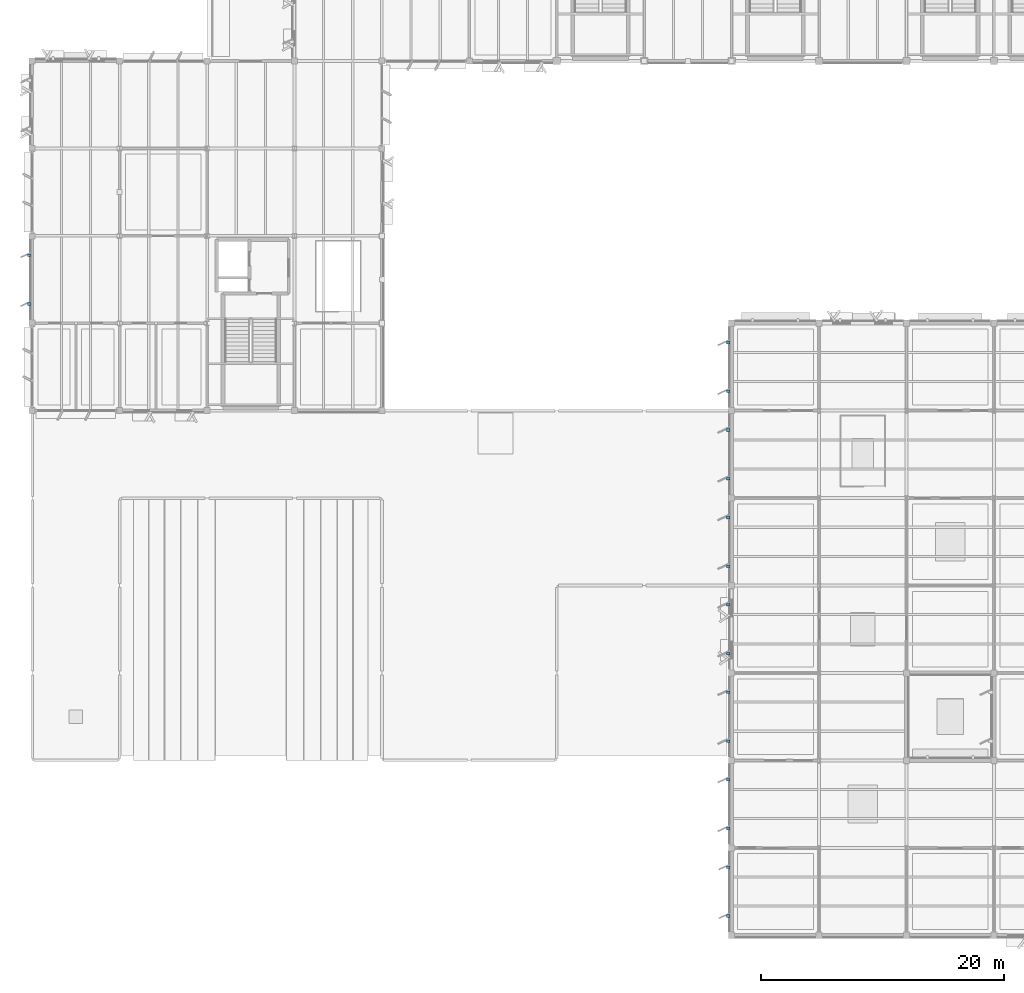
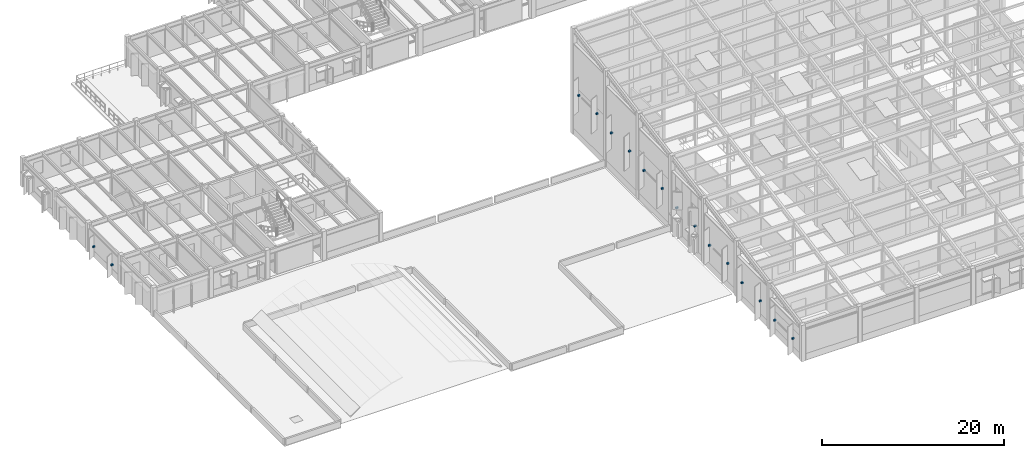
# One storey, part 43 of 82: 16 discrete accessories.
"""IFC4 building model written with IfcOpenShell, lengths in metres."""

import ifcopenshell
import ifcopenshell.guid

model = None  # the IFC model being written
_history = None  # IfcOwnerHistory: only IFC2X3 demands one
_inside = {}  # id of a spatial element -> (the spatial element, [elements in it])
_under = {}  # id of a project, library or spatial element -> (it, [spatial elements below it])
_declared = {}  # id of a project -> (the project, [libraries it declares])
_typed = {}  # id of a type object -> (the type object, [elements of that type])
_made_of = {}  # id of a material, layer set ... -> (it, [elements and type objects made of it])


def new_model(schema):
    """Start an empty IFC model of exactly this schema.

    Asked for "IFC4X3", IfcOpenShell would pick the latest addendum, in which some entities
    have other attributes; the version numbers below select the first issue.
    IFC2X3 requires an IfcOwnerHistory on every rooted entity: one is made here for all.
    """
    global model, _history
    if schema == "IFC4X3":
        model = ifcopenshell.file(schema_version=(4, 3, 0, 0))
    else:
        model = ifcopenshell.file(schema=schema)
    _inside.clear()
    _under.clear()
    _declared.clear()
    _typed.clear()
    _made_of.clear()
    _history = None
    if model.schema == "IFC2X3":
        org = make("IfcOrganization", Name="unknown")
        user = make(
            "IfcPersonAndOrganization",
            ThePerson=make("IfcPerson", FamilyName="unknown"),
            TheOrganization=org,
        )
        app = make(
            "IfcApplication",
            ApplicationDeveloper=org,
            Version="unknown",
            ApplicationFullName="unknown",
            ApplicationIdentifier="unknown",
        )
        _history = make(
            "IfcOwnerHistory",
            OwningUser=user,
            OwningApplication=app,
            ChangeAction="ADDED",
            CreationDate=0,
        )
    return model


def make(cls, **values):
    """One entity of the class cls with the attributes given. An attribute that is None is left unset."""
    return model.create_entity(
        cls, **{name: value for name, value in values.items() if value is not None}
    )


def rooted(cls, **values):
    """An entity with a GlobalId (a new one), such as an element, a storey or a relation."""
    return make(cls, GlobalId=ifcopenshell.guid.new(), OwnerHistory=_history, **values)


def si_unit(unit_type, name, prefix=None):
    """IfcSIUnit, for example si_unit("LENGTHUNIT", "METRE", prefix="MILLI")."""
    return make("IfcSIUnit", UnitType=unit_type, Prefix=prefix, Name=name)


def assignment(units):
    """IfcUnitAssignment: the units of a project."""
    return None if units is None else make("IfcUnitAssignment", Units=units)


def point(xyz):
    """IfcCartesianPoint."""
    return None if xyz is None else make("IfcCartesianPoint", Coordinates=xyz)


def direction(xyz):
    """IfcDirection."""
    return None if xyz is None else make("IfcDirection", DirectionRatios=xyz)


def frame(location, z_axis=None, x_axis=None):
    """IfcAxis2Placement3D, a coordinate frame: its origin and axes. An axis left out is left unset."""
    return make(
        "IfcAxis2Placement3D",
        Location=point(location),
        Axis=direction(z_axis),
        RefDirection=direction(x_axis),
    )


def frame_2d(location, x_axis=None):
    """IfcAxis2Placement2D, a coordinate frame in the plane: its origin and x axis."""
    return make(
        "IfcAxis2Placement2D", Location=point(location), RefDirection=direction(x_axis)
    )


def origin():
    """The frame at (0, 0, 0) with its axes left unset."""
    return frame((0.0, 0.0, 0.0))


def origin_2d():
    """The frame at (0, 0) in the plane with its x axis left unset."""
    return frame_2d((0.0, 0.0))


def place(relative_to, where):
    """IfcLocalPlacement: puts the frame where relative to a parent placement (None: the world)."""
    return make(
        "IfcLocalPlacement", PlacementRelTo=relative_to, RelativePlacement=where
    )


def context(
    kind, dimensions, precision=None, world=None, true_north=None, identifier=None
):
    """IfcGeometricRepresentationContext, for example the 3D "Model" context."""
    return make(
        "IfcGeometricRepresentationContext",
        ContextIdentifier=identifier,
        ContextType=kind,
        CoordinateSpaceDimension=dimensions,
        Precision=precision,
        WorldCoordinateSystem=world,
        TrueNorth=true_north,
    )


def subcontext(parent, identifier, kind, view, scale=None):
    """IfcGeometricRepresentationSubContext, for example "Body" below "Model"."""
    return make(
        "IfcGeometricRepresentationSubContext",
        ContextIdentifier=identifier,
        ContextType=kind,
        ParentContext=parent,
        TargetScale=scale,
        TargetView=view,
    )


def project(units=None, contexts=None):
    """IfcProject with its units and contexts."""
    return rooted(
        "IfcProject",
        Name="project",
        RepresentationContexts=contexts,
        UnitsInContext=assignment(units),
    )


def spatial(cls, under=None, at=None, **own):
    """A site, building, storey or space (cls), placed at a placement, below another one or the project."""
    s = rooted(cls, ObjectPlacement=at, **own)
    if under is not None:
        _under.setdefault(under.id(), (under, []))[1].append(s)
    return s


def profile(cls, at=None, kind="AREA", **sizes):
    """A parametric profile (cls). Its sizes go by their IFC names, for example OverallWidth=200.0."""
    return make(cls, ProfileType=kind, Position=at, **sizes)


def rectangle(**sizes):
    """IfcRectangleProfileDef."""
    return profile("IfcRectangleProfileDef", **sizes)


def extrude(swept, where, along, depth):
    """IfcExtrudedAreaSolid: the profile swept, set in the frame where, extruded along a direction by depth."""
    return make(
        "IfcExtrudedAreaSolid",
        SweptArea=swept,
        Position=where,
        ExtrudedDirection=direction(along),
        Depth=depth,
    )


def shape(context_of_items, identifier, shape_type, items):
    """IfcShapeRepresentation: the items that make up one representation, for example the "Body"."""
    return make(
        "IfcShapeRepresentation",
        ContextOfItems=context_of_items,
        RepresentationIdentifier=identifier,
        RepresentationType=shape_type,
        Items=items,
    )


def material(Name=None, Category=None):
    """IfcMaterial."""
    return make("IfcMaterial", Name=Name, Category=Category)


def made_of(thing, what):
    """Note that an element or type object is made of a material, layer set ...; save() writes the relation."""
    if what is not None:
        _made_of.setdefault(what.id(), (what, []))[1].append(thing)
    return thing


def type_object(cls, material=None, **own):
    """A type object (cls), such as IfcWallType, which elements share."""
    return made_of(rooted(cls, **own), material)


def element(
    cls,
    number,
    at=None,
    inside=None,
    cuts=None,
    type_object=None,
    material=None,
    context=None,
    identifier="Body",
    shape_type=None,
    held_by="IfcProductDefinitionShape",
    body=None,
    shapes=None,
    **own,
):
    """One element of the class cls, such as IfcWall. Its Tag is "e" and its number.

    at: its placement. inside: the storey or other place that contains it. cuts: it is an
    opening in that element (IfcRelVoidsElement). A single representation is given by context,
    identifier, shape_type and body (its items); several are given by shapes. held_by: the class
    of the entity that holds the representations. save() writes the other relations.
    """
    e = rooted(cls, Tag="e%d" % number, ObjectPlacement=at, **own)
    if body is not None:
        shapes = [shape(context, identifier, shape_type, body)]
    if shapes is not None:
        e.Representation = make(held_by, Representations=shapes)
    if inside is not None:
        _inside.setdefault(inside.id(), (inside, []))[1].append(e)
    if cuts is not None:
        rooted(
            "IfcRelVoidsElement", RelatingBuildingElement=cuts, RelatedOpeningElement=e
        )
    if type_object is not None:
        _typed.setdefault(type_object.id(), (type_object, []))[1].append(e)
    return made_of(e, material)


def aggregate(whole, parts):
    """IfcRelAggregates: a whole, such as a stair, and the parts it consists of."""
    return rooted("IfcRelAggregates", RelatingObject=whole, RelatedObjects=parts)


def save(model, path):
    """Write the relations noted so far, then the file.

    IfcRelAggregates (storeys below a building ...), IfcRelContainedInSpatialStructure (elements
    in a storey), IfcRelDefinesByType, IfcRelAssociatesMaterial and IfcRelDeclares: one each for
    every whole, place, type object, material and project.
    """
    for whole, parts in _under.values():
        aggregate(whole, parts)
    for where, things in _inside.values():
        rooted(
            "IfcRelContainedInSpatialStructure",
            RelatedElements=things,
            RelatingStructure=where,
        )
    for kind, things in _typed.values():
        rooted("IfcRelDefinesByType", RelatedObjects=things, RelatingType=kind)
    for what, things in _made_of.values():
        rooted("IfcRelAssociatesMaterial", RelatedObjects=things, RelatingMaterial=what)
    for by, libraries in _declared.values():
        rooted("IfcRelDeclares", RelatingContext=by, RelatedDefinitions=libraries)
    model.write(path)


model = new_model("IFC4")

# Units and contexts
model_context = context("Model", 3, precision=1e-05, world=origin(), true_north=direction((0.0, 1.0)))
body_context = subcontext(model_context, "Body", "Model", "MODEL_VIEW")
ifc_project = project(units=[si_unit("LENGTHUNIT", "METRE"), si_unit("AREAUNIT", "SQUARE_METRE"), si_unit("VOLUMEUNIT", "CUBIC_METRE"), si_unit("PLANEANGLEUNIT", "RADIAN"), si_unit("MASSUNIT", "GRAM", prefix="KILO")], contexts=[model_context])

# Site, building, storey
site_placement = place(None, origin())
site = spatial("IfcSite", under=ifc_project, at=site_placement, CompositionType="ELEMENT")
building_placement = place(site_placement, origin())
building = spatial("IfcBuilding", under=site, at=building_placement, Name="Sillqori Civic Hall", CompositionType="ELEMENT")
storey_placement = place(building_placement, frame((0.0, 0.0, 14.10009765625)))
storey = spatial("IfcBuildingStorey", under=building, at=storey_placement, Name="L04", CompositionType="ELEMENT", Elevation=14.10009765625)

# Discrete accessories
ifc_material = material(Name="Steel ASTM A572 Grade 50", Category="steel")
discrete_accessory_type = type_object("IfcDiscreteAccessoryType", Name="BRK-FIN-280", PredefinedType="BRACKET", material=ifc_material)
for number, where, z_axis, x_axis, name in (
    (1, (6.9599609375, 59.18994140625, 1.48583984375), (0.0, 0.0, 1.0), (0.0, 1.0, 0.0), "Brise-soleil fin steel bracket L04-01-08-W.1"),
    (2, (6.9599609375, 63.2099609375, 1.48583984375), (0.0, 0.0, 1.0), (0.0, 1.0, 0.0), "Brise-soleil fin steel bracket L04-01-08-W.2"),
    (3, (64.52001953125, 8.7900390625, 1.99658203125), (0.0, 0.0, 1.0), (0.0, 1.0, 0.0), "Brise-soleil fin steel bracket L04-09-01-W.1"),
    (4, (64.52001953125, 12.81005859375, 1.99658203125), (0.0, 0.0, 1.0), (0.0, 1.0, 0.0), "Brise-soleil fin steel bracket L04-09-01-W.2"),
    (5, (64.52001953125, 15.989990234375, 2.66796875), (0.0, 0.0, 1.0), (0.0, 1.0, 0.0), "Brise-soleil fin steel bracket L04-09-02-W.1"),
    (6, (64.52001953125, 20.010009765625, 2.66796875), (0.0, 0.0, 1.0), (0.0, 1.0, 0.0), "Brise-soleil fin steel bracket L04-09-02-W.2"),
    (7, (64.52001953125, 23.18994140625, 3.33935546875), (0.0, 0.0, 1.0), (0.0, 1.0, 0.0), "Brise-soleil fin steel bracket L04-09-03-W.1"),
    (8, (64.52001953125, 27.2099609375, 3.33935546875), (0.0, 0.0, 1.0), (0.0, 1.0, 0.0), "Brise-soleil fin steel bracket L04-09-03-W.2"),
    (9, (64.52001953125, 30.389892578125, 4.0107421875), (0.0, 0.0, 1.0), (0.0, 1.0, 0.0), "Brise-soleil fin steel bracket L04-09-04-W.1"),
    (10, (64.52001953125, 34.409912109375, 4.0107421875), (0.0, 0.0, 1.0), (0.0, 1.0, 0.0), "Brise-soleil fin steel bracket L04-09-04-W.2"),
    (11, (64.52001953125, 37.590087890625, 4.68212890625), (0.0, 0.0, 1.0), (0.0, 1.0, 0.0), "Brise-soleil fin steel bracket L04-09-05-W.1"),
    (12, (64.52001953125, 41.610107421875, 4.68212890625), (0.0, 0.0, 1.0), (0.0, 1.0, 0.0), "Brise-soleil fin steel bracket L04-09-05-W.2"),
    (13, (64.52001953125, 44.7900390625, 5.353515625), (0.0, 0.0, 1.0), (0.0, 1.0, 0.0), "Brise-soleil fin steel bracket L04-09-06-W.1"),
    (14, (64.52001953125, 48.81005859375, 5.353515625), (0.0, 0.0, 1.0), (0.0, 1.0, 0.0), "Brise-soleil fin steel bracket L04-09-06-W.2"),
    (15, (64.52001953125, 51.989990234375, 6.02490234375), (0.0, 0.0, 1.0), (0.0, 1.0, 0.0), "Brise-soleil fin steel bracket L04-09-07-W.1"),
    (16, (64.52001953125, 56.010009765625, 6.02490234375), (0.0, 0.0, 1.0), (0.0, 1.0, 0.0), "Brise-soleil fin steel bracket L04-09-07-W.2"),
):
    element("IfcDiscreteAccessory", number, at=place(storey_placement, frame(where, z_axis=z_axis, x_axis=x_axis)), inside=storey, type_object=discrete_accessory_type, Name=name, PredefinedType="BRACKET", context=body_context, shape_type="SweptSolid", body=[
        extrude(rectangle(XDim=0.219970703125, YDim=0.320068359375, at=origin_2d()), origin(), (0.0, 0.0, 1.0), 0.199951171875),
    ])

save(model, "model.ifc")
